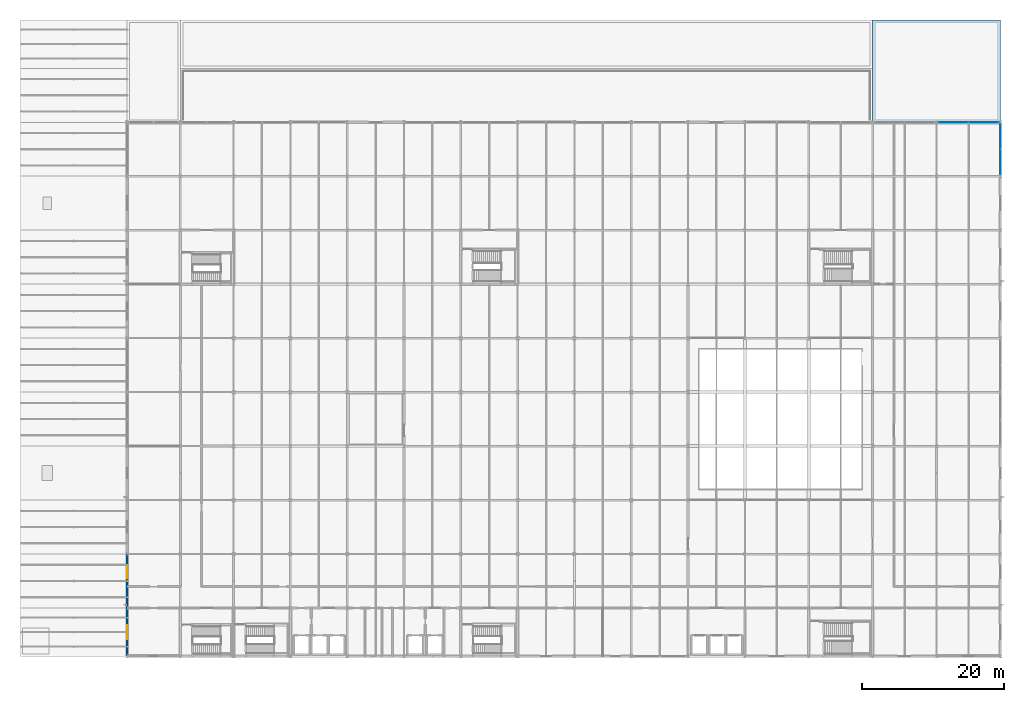
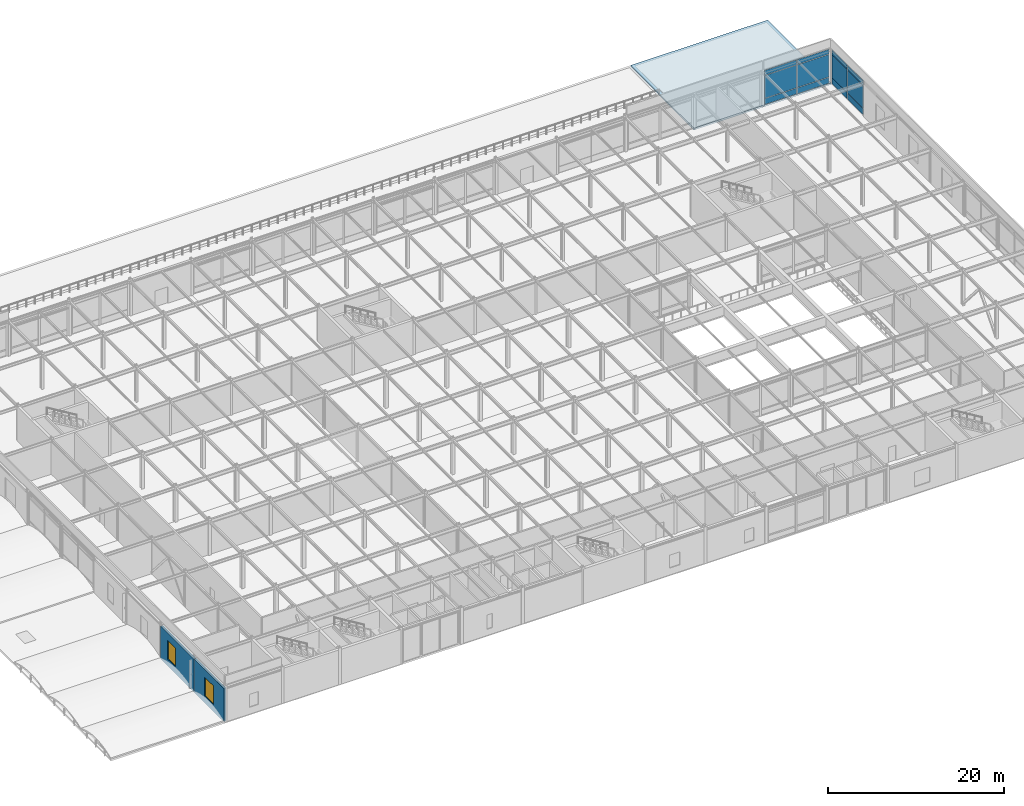
# One storey, part 56 of 79: 12 plates, 2 walls, 2 windows, 1 slab, 2 openings, 2 elements without a shape of their own.
"""IFC4 building model written with IfcOpenShell, lengths in metres."""

from ifc_helpers import new_model, si_unit, direction, frame, frame_2d, origin, origin_2d, place, context, subcontext, project, spatial, polyline, rectangle, outline, extrude, material, layer, layer_set, type_object, element, fill, aggregate, save


model = new_model("IFC4")

# Units and contexts
model_context = context("Model", 3, precision=1e-05, world=origin(), true_north=direction((0.0, 1.0)))
body_context = subcontext(model_context, "Body", "Model", "MODEL_VIEW")
ifc_project = project(units=[si_unit("LENGTHUNIT", "METRE"), si_unit("AREAUNIT", "SQUARE_METRE"), si_unit("VOLUMEUNIT", "CUBIC_METRE"), si_unit("PLANEANGLEUNIT", "RADIAN"), si_unit("MASSUNIT", "GRAM", prefix="KILO")], contexts=[model_context])

# Site, building, storey
site_placement = place(None, origin())
site = spatial("IfcSite", under=ifc_project, at=site_placement, CompositionType="ELEMENT")
building_placement = place(site_placement, origin())
building = spatial("IfcBuilding", under=site, at=building_placement, Name="Shalkamar Park Central Library", CompositionType="ELEMENT")
storey_placement = place(building_placement, frame((0.0, 0.0, 10.5)))
storey = spatial("IfcBuildingStorey", under=building, at=storey_placement, Name="L03", CompositionType="ELEMENT", Elevation=10.5)

# Slab
ifc_material_1 = material(Name="Concrete C35/45", Category="concrete")
ifc_layer_1 = layer(ifc_material_1, 0.25)
ifc_layer_set_1 = layer_set([ifc_layer_1], Name="Concrete C35/45")
slab_type = type_object("IfcSlabType", Name="Flat Roof Slab 140", PredefinedType="ROOF", material=ifc_layer_set_1)
slab_placement = place(storey_placement, frame((0.0, 0.0, -0.25)))
element("IfcSlab", 1, at=slab_placement, inside=storey, type_object=slab_type, Name="Flat Roof Slab RF-L02-NE", PredefinedType="ROOF", context=body_context, shape_type="SweptSolid", body=[
    extrude(outline(polyline([(255.0, 323.60009765625), (273.0, 323.60009765625), (273.0, 338.0), (255.0, 338.0), (255.0, 323.60009765625)])), origin(), (0.0, 0.0, 1.0), 0.25),
])

# Curtain wall, plates
ifc_material_2 = material(Name="Thermally broken aluminium and triple low-e curtain wall", Category="aluminium")
ifc_layer_2 = layer(ifc_material_2, 0.27001953125)
ifc_layer_set_2 = layer_set([ifc_layer_2], Name="UnitisedCurtainWall_48")
curtain_wall_type_1 = type_object("IfcCurtainWallType", Name="Unitised Curtain Wall 48", PredefinedType="USERDEFINED", material=ifc_layer_set_2)
curtain_wall_1_placement = place(storey_placement, origin())
curtain_wall_1 = element("IfcCurtainWall", 2, at=curtain_wall_1_placement, inside=storey, type_object=curtain_wall_type_1, Name="Unitised Curtain Wall CW-L03-059", ObjectType="UNITISED CURTAIN WALL", PredefinedType="USERDEFINED")
ifc_material_3 = material(Name="Triple-glazed laminated glass", Category="glass")
ifc_layer_3 = layer(ifc_material_3, 0.06005859375)
ifc_layer_set_3 = layer_set([ifc_layer_3], Name="TripleGlazedPodiumPanel_60")
plate_type = type_object("IfcPlateType", Name="Triple Glazed Podium Panel 60", PredefinedType="CURTAIN_PANEL", material=ifc_layer_set_3)
plate_1_placement = place(storey_placement, frame((266.376953125, 323.60009765625, 0.06494140625), z_axis=(0.0, 0.0, 1.0), x_axis=(1.0, 0.0, 0.0)))
plate_1 = element("IfcPlate", 3, at=plate_1_placement, type_object=plate_type, Name="CW-48 panel 1.1", PredefinedType="CURTAIN_PANEL", context=body_context, shape_type="SweptSolid", body=[
    extrude(rectangle(XDim=4.18603515625, YDim=0.06005859375, at=origin_2d()), origin(), (0.0, 0.0, 1.0), 0.802490234375),
])
plate_2_placement = place(storey_placement, frame((266.376953125, 323.60009765625, 0.9326171875), z_axis=(0.0, 0.0, 1.0), x_axis=(1.0, 0.0, 0.0)))
plate_2 = element("IfcPlate", 4, at=plate_2_placement, type_object=plate_type, Name="CW-48 panel 1.2", PredefinedType="CURTAIN_PANEL", context=body_context, shape_type="SweptSolid", body=[
    extrude(rectangle(XDim=4.18603515625, YDim=0.06005859375, at=origin_2d()), origin(), (0.0, 0.0, 1.0), 3.135009765625),
])
plate_3_placement = place(storey_placement, frame((266.376953125, 323.60009765625, 4.13232421875), z_axis=(0.0, 0.0, 1.0), x_axis=(1.0, 0.0, 0.0)))
plate_3 = element("IfcPlate", 5, at=plate_3_placement, type_object=plate_type, Name="CW-48 panel 1.3", PredefinedType="CURTAIN_PANEL", context=body_context, shape_type="SweptSolid", body=[
    extrude(rectangle(XDim=4.18603515625, YDim=0.06005859375, at=origin_2d()), origin(), (0.0, 0.0, 1.0), 0.652587890625),
])
plate_4_placement = place(storey_placement, frame((270.64306640625, 323.60009765625, 0.06494140625), z_axis=(0.0, 0.0, 1.0), x_axis=(1.0, 0.0, 0.0)))
plate_4 = element("IfcPlate", 6, at=plate_4_placement, type_object=plate_type, Name="CW-48 panel 2.1", PredefinedType="CURTAIN_PANEL", context=body_context, shape_type="SweptSolid", body=[
    extrude(rectangle(XDim=4.18603515625, YDim=0.06005859375, at=origin_2d()), origin(), (0.0, 0.0, 1.0), 0.802490234375),
])
plate_5_placement = place(storey_placement, frame((270.64306640625, 323.60009765625, 0.9326171875), z_axis=(0.0, 0.0, 1.0), x_axis=(1.0, 0.0, 0.0)))
plate_5 = element("IfcPlate", 7, at=plate_5_placement, type_object=plate_type, Name="CW-48 panel 2.2", PredefinedType="CURTAIN_PANEL", context=body_context, shape_type="SweptSolid", body=[
    extrude(rectangle(XDim=4.18603515625, YDim=0.06005859375, at=origin_2d()), origin(), (0.0, 0.0, 1.0), 3.135009765625),
])
plate_6_placement = place(storey_placement, frame((270.64306640625, 323.60009765625, 4.13232421875), z_axis=(0.0, 0.0, 1.0), x_axis=(1.0, 0.0, 0.0)))
plate_6 = element("IfcPlate", 8, at=plate_6_placement, type_object=plate_type, Name="CW-48 panel 2.3", PredefinedType="CURTAIN_PANEL", context=body_context, shape_type="SweptSolid", body=[
    extrude(rectangle(XDim=4.18603515625, YDim=0.06005859375, at=origin_2d()), origin(), (0.0, 0.0, 1.0), 0.652587890625),
])
aggregate(curtain_wall_1, [plate_1, plate_2, plate_3, plate_4, plate_5, plate_6])

ifc_layer_4 = layer(ifc_material_2, 0.260009765625)
ifc_layer_set_4 = layer_set([ifc_layer_4], Name="UnitisedCurtainWall_51")
curtain_wall_type_2 = type_object("IfcCurtainWallType", Name="Unitised Curtain Wall 51", PredefinedType="USERDEFINED", material=ifc_layer_set_4)
curtain_wall_2_placement = place(storey_placement, origin())
curtain_wall_2 = element("IfcCurtainWall", 9, at=curtain_wall_2_placement, inside=storey, type_object=curtain_wall_type_2, Name="Unitised Curtain Wall CW-L03-065", ObjectType="UNITISED CURTAIN WALL", PredefinedType="USERDEFINED")
plate_7_placement = place(storey_placement, frame((273.0, 318.0107421875, 0.06005859375), z_axis=(0.0, 0.0, 1.0), x_axis=(0.0, 1.0, 0.0)))
plate_7 = element("IfcPlate", 10, at=plate_7_placement, type_object=plate_type, Name="CW-51 panel 1.1", PredefinedType="CURTAIN_PANEL", context=body_context, shape_type="SweptSolid", body=[
    extrude(rectangle(XDim=3.50341796875, YDim=0.06005859375, at=origin_2d()), origin(), (0.0, 0.0, 1.0), 0.81005859375),
])
plate_8_placement = place(storey_placement, frame((273.0, 318.0107421875, 0.93017578125), z_axis=(0.0, 0.0, 1.0), x_axis=(0.0, 1.0, 0.0)))
plate_8 = element("IfcPlate", 11, at=plate_8_placement, type_object=plate_type, Name="CW-51 panel 1.2", PredefinedType="CURTAIN_PANEL", context=body_context, shape_type="SweptSolid", body=[
    extrude(rectangle(XDim=3.50341796875, YDim=0.06005859375, at=origin_2d()), origin(), (0.0, 0.0, 1.0), 3.139892578125),
])
plate_9_placement = place(storey_placement, frame((273.0, 318.0107421875, 4.1298828125), z_axis=(0.0, 0.0, 1.0), x_axis=(0.0, 1.0, 0.0)))
plate_9 = element("IfcPlate", 12, at=plate_9_placement, type_object=plate_type, Name="CW-51 panel 1.3", PredefinedType="CURTAIN_PANEL", context=body_context, shape_type="SweptSolid", body=[
    extrude(rectangle(XDim=3.50341796875, YDim=0.06005859375, at=origin_2d()), origin(), (0.0, 0.0, 1.0), 0.659912109375),
])
plate_10_placement = place(storey_placement, frame((273.0, 321.58935546875, 0.06005859375), z_axis=(0.0, 0.0, 1.0), x_axis=(0.0, 1.0, 0.0)))
plate_10 = element("IfcPlate", 13, at=plate_10_placement, type_object=plate_type, Name="CW-51 panel 2.1", PredefinedType="CURTAIN_PANEL", context=body_context, shape_type="SweptSolid", body=[
    extrude(rectangle(XDim=3.50341796875, YDim=0.06005859375, at=origin_2d()), origin(), (0.0, 0.0, 1.0), 0.81005859375),
])
plate_11_placement = place(storey_placement, frame((273.0, 321.58935546875, 0.93017578125), z_axis=(0.0, 0.0, 1.0), x_axis=(0.0, 1.0, 0.0)))
plate_11 = element("IfcPlate", 14, at=plate_11_placement, type_object=plate_type, Name="CW-51 panel 2.2", PredefinedType="CURTAIN_PANEL", context=body_context, shape_type="SweptSolid", body=[
    extrude(rectangle(XDim=3.50341796875, YDim=0.06005859375, at=origin_2d()), origin(), (0.0, 0.0, 1.0), 3.139892578125),
])
plate_12_placement = place(storey_placement, frame((273.0, 321.58935546875, 4.1298828125), z_axis=(0.0, 0.0, 1.0), x_axis=(0.0, 1.0, 0.0)))
plate_12 = element("IfcPlate", 15, at=plate_12_placement, type_object=plate_type, Name="CW-51 panel 2.3", PredefinedType="CURTAIN_PANEL", context=body_context, shape_type="SweptSolid", body=[
    extrude(rectangle(XDim=3.50341796875, YDim=0.06005859375, at=origin_2d()), origin(), (0.0, 0.0, 1.0), 0.659912109375),
])
aggregate(curtain_wall_2, [plate_7, plate_8, plate_9, plate_10, plate_11, plate_12])

# Wall, opening, window
ifc_material_4 = material(Name="Travertine insulated rainscreen", Category="masonry")
ifc_layer_5 = layer(ifc_material_4, 0.2900390625)
ifc_layer_set_5 = layer_set([ifc_layer_5], Name="TravertineTerracottaWall_290")
wall_type = type_object("IfcWallType", Name="Travertine Terracotta Wall 290", PredefinedType="SOLIDWALL", material=ifc_layer_set_5)
wall_1_placement = place(storey_placement, frame((150.0, 248.406005859375, 0.0), z_axis=(0.0, 0.0, 1.0), x_axis=(0.0, 1.0, 0.0)))
wall_1 = element("IfcWall", 16, at=wall_1_placement, inside=storey, type_object=wall_type, Name="Exterior Facade Wall WL-EXT-L03-094", PredefinedType="SOLIDWALL", context=body_context, shape_type="SweptSolid", body=[
    extrude(rectangle(XDim=6.7880859375, YDim=0.2900390625, at=frame_2d((3.39404296875, 0.0))), origin(), (0.0, 0.0, 1.0), 4.617919921875),
])
opening_1_placement = place(wall_1_placement, frame((2.39404296875, 0.0, 0.949951171875)))
opening_1 = element("IfcOpeningElement", 17, at=opening_1_placement, cuts=wall_1, Name="Opening WN-05", PredefinedType="OPENING", context=body_context, shape_type="SweptSolid", body=[
    extrude(rectangle(XDim=2.0, YDim=2.60009765625, at=frame_2d((1.0, 1.300048828125))), frame((0.0, 0.159912109375, 0.0), z_axis=(0.0, -1.0, 0.0), x_axis=(1.0, 0.0, 0.0)), (0.0, 0.0, 1.0), 0.31982421875),
])
ifc_material_5 = material(Name="Thermally broken aluminium and triple low-e glass", Category="glass")
window_type_1 = type_object("IfcWindowType", Name="Podium Window 2000x2600", PartitioningType="DOUBLE_PANEL_VERTICAL", PredefinedType="WINDOW", material=ifc_material_5)
window_1_placement = place(opening_1_placement, origin())
window_1 = element("IfcWindow", 18, at=window_1_placement, inside=storey, type_object=window_type_1, Name="Facade Window WN-L03-056", OverallHeight=2.60009765625, OverallWidth=2.0, PartitioningType="DOUBLE_PANEL_VERTICAL", PredefinedType="WINDOW", context=body_context, shape_type="SweptSolid", body=[
    extrude(rectangle(XDim=2.0, YDim=2.60009765625, at=frame_2d((1.0, 1.300048828125))), frame((0.0, 0.030029296875, 0.0), z_axis=(0.0, -1.0, 0.0), x_axis=(1.0, 0.0, 0.0)), (0.0, 0.0, 1.0), 0.06005859375),
])
fill(opening_1, window_1)

wall_2_placement = place(storey_placement, frame((150.0, 255.2060546875, 0.0), z_axis=(0.0, 0.0, 1.0), x_axis=(0.0, 1.0, 0.0)))
wall_2 = element("IfcWall", 19, at=wall_2_placement, inside=storey, type_object=wall_type, Name="Exterior Facade Wall WL-EXT-L03-095", PredefinedType="SOLIDWALL", context=body_context, shape_type="SweptSolid", body=[
    extrude(rectangle(XDim=7.587890625, YDim=0.2900390625, at=frame_2d((3.7939453125, 0.0))), origin(), (0.0, 0.0, 1.0), 4.577880859375),
])
opening_2_placement = place(wall_2_placement, frame((4.166015625, 0.0, 0.949951171875)))
opening_2 = element("IfcOpeningElement", 20, at=opening_2_placement, cuts=wall_2, Name="Opening WN-06", PredefinedType="OPENING", context=body_context, shape_type="SweptSolid", body=[
    extrude(rectangle(XDim=1.800048828125, YDim=2.60009765625, at=frame_2d((0.89990234375, 1.300048828125))), frame((0.0, 0.159912109375, 0.0), z_axis=(0.0, -1.0, 0.0), x_axis=(1.0, 0.0, 0.0)), (0.0, 0.0, 1.0), 0.31982421875),
])
window_type_2 = type_object("IfcWindowType", Name="Podium Window 1800x2600", PartitioningType="DOUBLE_PANEL_VERTICAL", PredefinedType="WINDOW", material=ifc_material_5)
window_2_placement = place(opening_2_placement, origin())
window_2 = element("IfcWindow", 21, at=window_2_placement, inside=storey, type_object=window_type_2, Name="Facade Window WN-L03-057", OverallHeight=2.60009765625, OverallWidth=1.800048828125, PartitioningType="DOUBLE_PANEL_VERTICAL", PredefinedType="WINDOW", context=body_context, shape_type="SweptSolid", body=[
    extrude(rectangle(XDim=1.800048828125, YDim=2.60009765625, at=frame_2d((0.89990234375, 1.300048828125))), frame((0.0, 0.030029296875, 0.0), z_axis=(0.0, -1.0, 0.0), x_axis=(1.0, 0.0, 0.0)), (0.0, 0.0, 1.0), 0.06005859375),
])
fill(opening_2, window_2)

save(model, "model.ifc")
